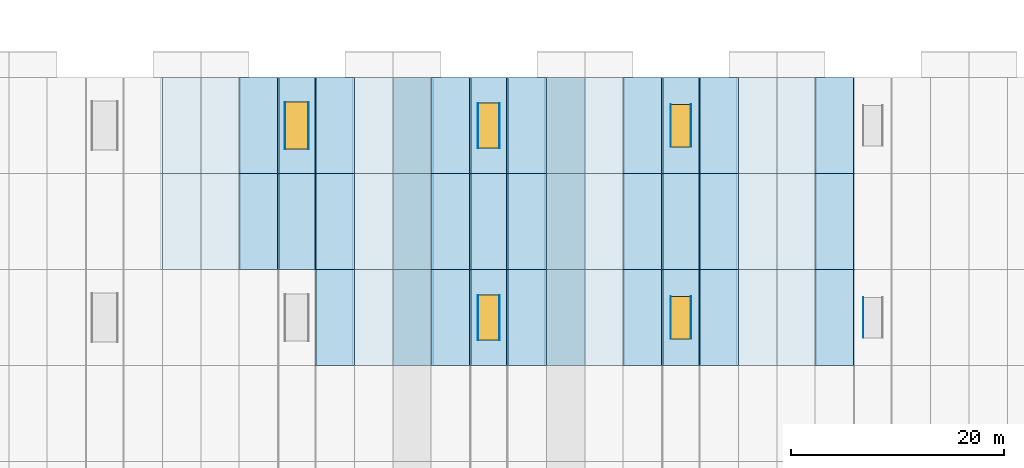
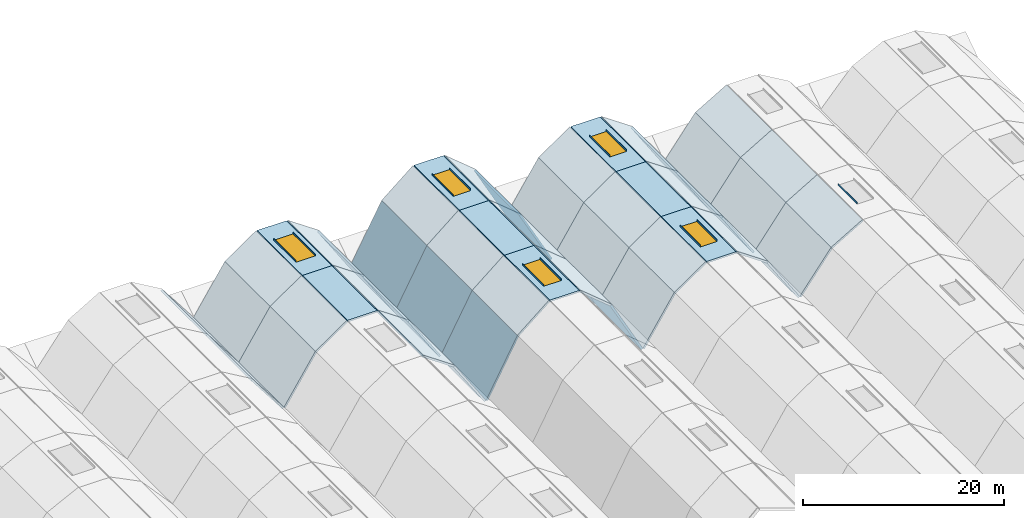
# One storey, part 6 of 11: 50 slabs, 11 plates, 5 windows, 5 openings.
"""IFC4 building model written with IfcOpenShell, lengths in metres."""

from ifc_helpers import new_model, si_unit, direction, frame, origin, origin_2d, place, context, subcontext, project, spatial, polyline, rectangle, outline, extrude, material, layer, layer_set, type_object, element, fill, save


model = new_model("IFC4")

# Units and contexts
model_context = context("Model", 3, precision=1e-05, world=origin(), true_north=direction((0.0, 1.0)))
body_context = subcontext(model_context, "Body", "Model", "MODEL_VIEW")
ifc_project = project(units=[si_unit("LENGTHUNIT", "METRE"), si_unit("AREAUNIT", "SQUARE_METRE"), si_unit("VOLUMEUNIT", "CUBIC_METRE"), si_unit("PLANEANGLEUNIT", "RADIAN"), si_unit("MASSUNIT", "GRAM", prefix="KILO")], contexts=[model_context])

# Site, building, storey
site_placement = place(None, origin())
site = spatial("IfcSite", under=ifc_project, at=site_placement, CompositionType="ELEMENT")
building_placement = place(site_placement, origin())
building = spatial("IfcBuilding", under=site, at=building_placement, Name="Chuanluo Vaults Station", CompositionType="ELEMENT")
storey_placement = place(building_placement, frame((0.0, 0.0, 24.0)))
storey = spatial("IfcBuildingStorey", under=building, at=storey_placement, Name="RF", CompositionType="ELEMENT", Elevation=24.0)

# Plates
ifc_material_1 = material(Name="Laminated safety skylight glass", Category="glass")
ifc_layer_1 = layer(ifc_material_1, 0.033935546875)
ifc_layer_set_1 = layer_set([ifc_layer_1], Name="Laminated safety skylight glass")
plate_type_1 = type_object("IfcPlateType", Name="PLT-SKY-01", PredefinedType="SHEET", material=ifc_layer_set_1)
plate_1_placement = place(storey_placement, frame((43.89990234375, 99.0, -1.85009765625), z_axis=(0.0, 0.0, 1.0), x_axis=(1.0, 0.0, 0.0)))
element("IfcPlate", 1, at=plate_1_placement, inside=storey, type_object=plate_type_1, Name="Vault V3 skylight kerb plate 15W", PredefinedType="SHEET", context=body_context, shape_type="SweptSolid", body=[
    extrude(rectangle(XDim=0.033935546875, YDim=4.39990234375, at=origin_2d()), origin(), (0.0, 0.0, 1.0), 0.219970703125),
])
for number, where, z_axis, x_axis, name in (
    (2, (62.0, 81.0, -0.25), (0.0, 0.0, 1.0), (1.0, 0.0, 0.0), "Vault V4 skylight kerb plate 19W"),
    (3, (62.0, 99.0, -0.25), (0.0, 0.0, 1.0), (1.0, 0.0, 0.0), "Vault V4 skylight kerb plate 20W"),
):
    element("IfcPlate", number, at=place(storey_placement, frame(where, z_axis=z_axis, x_axis=x_axis)), inside=storey, type_object=plate_type_1, Name=name, PredefinedType="SHEET", context=body_context, shape_type="SweptSolid", body=[
        extrude(rectangle(XDim=0.033935546875, YDim=4.199951171875, at=origin_2d()), origin(), (0.0, 0.0, 1.0), 0.219970703125),
    ])
for number, where, z_axis, x_axis, name in (
    (4, (80.050048828125, 81.0, -1.85009765625), (0.0, 0.0, 1.0), (1.0, 0.0, 0.0), "Vault V5 skylight kerb plate 24W"),
    (5, (80.050048828125, 99.0, -1.85009765625), (0.0, 0.0, 1.0), (1.0, 0.0, 0.0), "Vault V5 skylight kerb plate 25W"),
):
    element("IfcPlate", number, at=place(storey_placement, frame(where, z_axis=z_axis, x_axis=x_axis)), inside=storey, type_object=plate_type_1, Name=name, PredefinedType="SHEET", context=body_context, shape_type="SweptSolid", body=[
        extrude(rectangle(XDim=0.033935546875, YDim=4.0, at=origin_2d()), origin(), (0.0, 0.0, 1.0), 0.219970703125),
    ])
plate_2_placement = place(storey_placement, frame((98.10009765625, 81.0, -3.0498046875), z_axis=(0.0, 0.0, 1.0), x_axis=(1.0, 0.0, 0.0)))
element("IfcPlate", 6, at=plate_2_placement, inside=storey, type_object=plate_type_1, Name="Vault V6 skylight kerb plate 29W", PredefinedType="SHEET", context=body_context, shape_type="SweptSolid", body=[
    extrude(rectangle(XDim=0.033935546875, YDim=3.800048828125, at=origin_2d()), origin(), (0.0, 0.0, 1.0), 0.219970703125),
])
ifc_material_2 = material(Name="Laminated safety skylight glass", Category="glass")
ifc_layer_2 = layer(ifc_material_2, 0.030029296875)
ifc_layer_set_2 = layer_set([ifc_layer_2], Name="Laminated safety skylight glass")
plate_type_2 = type_object("IfcPlateType", Name="PLT-SKY-02", PredefinedType="SHEET", material=ifc_layer_set_2)
plate_3_placement = place(storey_placement, frame((46.10009765625, 99.0, -1.85009765625), z_axis=(0.0, 0.0, 1.0), x_axis=(1.0, 0.0, 0.0)))
element("IfcPlate", 7, at=plate_3_placement, inside=storey, type_object=plate_type_2, Name="Vault V3 skylight kerb plate 15E", PredefinedType="SHEET", context=body_context, shape_type="SweptSolid", body=[
    extrude(rectangle(XDim=0.030029296875, YDim=4.39990234375, at=origin_2d()), origin(), (0.0, 0.0, 1.0), 0.219970703125),
])
for number, where, z_axis, x_axis, name in (
    (8, (64.0, 81.0, -0.25), (0.0, 0.0, 1.0), (1.0, 0.0, 0.0), "Vault V4 skylight kerb plate 19E"),
    (9, (64.0, 99.0, -0.25), (0.0, 0.0, 1.0), (1.0, 0.0, 0.0), "Vault V4 skylight kerb plate 20E"),
):
    element("IfcPlate", number, at=place(storey_placement, frame(where, z_axis=z_axis, x_axis=x_axis)), inside=storey, type_object=plate_type_2, Name=name, PredefinedType="SHEET", context=body_context, shape_type="SweptSolid", body=[
        extrude(rectangle(XDim=0.030029296875, YDim=4.199951171875, at=origin_2d()), origin(), (0.0, 0.0, 1.0), 0.219970703125),
    ])
for number, where, z_axis, x_axis, name in (
    (10, (81.949951171875, 81.0, -1.85009765625), (0.0, 0.0, 1.0), (1.0, 0.0, 0.0), "Vault V5 skylight kerb plate 24E"),
    (11, (81.949951171875, 99.0, -1.85009765625), (0.0, 0.0, 1.0), (1.0, 0.0, 0.0), "Vault V5 skylight kerb plate 25E"),
):
    element("IfcPlate", number, at=place(storey_placement, frame(where, z_axis=z_axis, x_axis=x_axis)), inside=storey, type_object=plate_type_2, Name=name, PredefinedType="SHEET", context=body_context, shape_type="SweptSolid", body=[
        extrude(rectangle(XDim=0.030029296875, YDim=4.0, at=origin_2d()), origin(), (0.0, 0.0, 1.0), 0.219970703125),
    ])

# Slabs
ifc_material_3 = material(Name="Concrete C50", Category="concrete")
ifc_layer_3 = layer(ifc_material_3, 0.219970703125)
ifc_layer_set_3 = layer_set([ifc_layer_3], Name="Concrete C50")
slab_type = type_object("IfcSlabType", Name="SLB-VLT-220", PredefinedType="ROOF", material=ifc_layer_set_3)
for number, where, z_axis, x_axis, name in (
    (12, (32.39990234375, 85.5, -5.157958984375), (0.793378408249, 0.0, 0.608728758418), (0.608728758418, 0.0, -0.793378408249), "Vault V2 planar roof facet 7-R1"),
    (13, (32.39990234375, 94.5, -5.157958984375), (0.793378408249, 0.0, 0.608728758418), (0.608728758418, 0.0, -0.793378408249), "Vault V2 planar roof facet 8-R1"),
):
    element("IfcSlab", number, at=place(storey_placement, frame(where, z_axis=z_axis, x_axis=x_axis)), inside=storey, type_object=slab_type, Name=name, PredefinedType="ROOF", context=body_context, shape_type="SweptSolid", body=[
        extrude(outline(polyline([(0.0, 0.0), (5.914124487245905, 0.0), (5.914124487245905, 9.0), (0.0, 9.0), (0.0, 0.0)])), origin(), (0.0, 0.0, -1.0), 0.219970703125),
    ])
slab_1_placement = place(storey_placement, frame((46.800048828125, 76.5, -1.85009765625), z_axis=(0.567317861209, 0.0, 0.823498903675), x_axis=(0.823498903675, 0.0, -0.567317861209)))
element("IfcSlab", 14, at=slab_1_placement, inside=storey, type_object=slab_type, Name="Vault V3 planar roof facet 6-R2", PredefinedType="ROOF", context=body_context, shape_type="SweptSolid", body=[
    extrude(outline(polyline([(0.0, 0.0), (4.371412638877636, 0.0), (4.371412638877636, 9.0), (0.0, 9.0), (0.0, 0.0)])), origin(), (0.0, 0.0, -1.0), 0.219970703125),
])
for number, where, z_axis, x_axis, name in (
    (15, (50.39990234375, 76.5, -4.330078125), (0.837604700912, 0.0, 0.54627682086), (0.54627682086, 0.0, -0.837604700912), "Vault V3 planar roof facet 6-R1"),
    (16, (36.0, 85.5, -9.85009765625), (-0.837604700912, 0.0, 0.54627682086), (0.54627682086, 0.0, 0.837604700912), "Vault V3 planar roof facet 7-L1"),
):
    element("IfcSlab", number, at=place(storey_placement, frame(where, z_axis=z_axis, x_axis=x_axis)), inside=storey, type_object=slab_type, Name=name, PredefinedType="ROOF", context=body_context, shape_type="SweptSolid", body=[
        extrude(outline(polyline([(0.0, 0.0), (6.590244210946831, 0.0), (6.590244210946831, 9.0), (0.0, 9.0), (0.0, 0.0)])), origin(), (0.0, 0.0, -1.0), 0.219970703125),
    ])
for number, where, z_axis, x_axis, name in (
    (17, (39.60009765625, 85.5, -4.330078125), (-0.567317861209, 0.0, 0.823498903675), (0.823498903675, 0.0, 0.567317861209), "Vault V3 planar roof facet 7-L2"),
    (18, (46.800048828125, 85.5, -1.85009765625), (0.567317861209, 0.0, 0.823498903675), (0.823498903675, 0.0, -0.567317861209), "Vault V3 planar roof facet 7-R2"),
):
    element("IfcSlab", number, at=place(storey_placement, frame(where, z_axis=z_axis, x_axis=x_axis)), inside=storey, type_object=slab_type, Name=name, PredefinedType="ROOF", context=body_context, shape_type="SweptSolid", body=[
        extrude(outline(polyline([(0.0, 0.0), (4.371412638877636, 0.0), (4.371412638877636, 9.0), (0.0, 9.0), (0.0, 0.0)])), origin(), (0.0, 0.0, -1.0), 0.219970703125),
    ])
slab_2_placement = place(storey_placement, frame((50.39990234375, 85.5, -4.330078125), z_axis=(0.837604700912, 0.0, 0.54627682086), x_axis=(0.54627682086, 0.0, -0.837604700912)))
element("IfcSlab", 19, at=slab_2_placement, inside=storey, type_object=slab_type, Name="Vault V3 planar roof facet 7-R1", PredefinedType="ROOF", context=body_context, shape_type="SweptSolid", body=[
    extrude(outline(polyline([(0.0, 0.0), (6.590244210946831, 0.0), (6.590244210946831, 9.0), (0.0, 9.0), (0.0, 0.0)])), origin(), (0.0, 0.0, -1.0), 0.219970703125),
])
slab_3_placement = place(storey_placement, frame((0.0, 0.0, -2.070068359375)))
element("IfcSlab", 20, at=slab_3_placement, inside=storey, type_object=slab_type, Name="Vault V3 crown skylight slab 7", PredefinedType="ROOF", context=body_context, shape_type="SweptSolid", body=[
    extrude(outline(polyline([(43.309814453125, 85.5), (46.690185546875, 85.5), (46.690185546875, 94.5), (43.309814453125, 94.5), (43.309814453125, 85.5)])), origin(), (0.0, 0.0, 1.0), 0.219970703125),
])
slab_4_placement = place(storey_placement, frame((36.0, 94.5, -9.85009765625), z_axis=(-0.837604700912, 0.0, 0.54627682086), x_axis=(0.54627682086, 0.0, 0.837604700912)))
element("IfcSlab", 21, at=slab_4_placement, inside=storey, type_object=slab_type, Name="Vault V3 planar roof facet 8-L1", PredefinedType="ROOF", context=body_context, shape_type="SweptSolid", body=[
    extrude(outline(polyline([(0.0, 0.0), (6.590244210946831, 0.0), (6.590244210946831, 9.0), (0.0, 9.0), (0.0, 0.0)])), origin(), (0.0, 0.0, -1.0), 0.219970703125),
])
for number, where, z_axis, x_axis, name in (
    (22, (39.60009765625, 94.5, -4.330078125), (-0.567317861209, 0.0, 0.823498903675), (0.823498903675, 0.0, 0.567317861209), "Vault V3 planar roof facet 8-L2"),
    (23, (46.800048828125, 94.5, -1.85009765625), (0.567317861209, 0.0, 0.823498903675), (0.823498903675, 0.0, -0.567317861209), "Vault V3 planar roof facet 8-R2"),
):
    element("IfcSlab", number, at=place(storey_placement, frame(where, z_axis=z_axis, x_axis=x_axis)), inside=storey, type_object=slab_type, Name=name, PredefinedType="ROOF", context=body_context, shape_type="SweptSolid", body=[
        extrude(outline(polyline([(0.0, 0.0), (4.371412638877636, 0.0), (4.371412638877636, 9.0), (0.0, 9.0), (0.0, 0.0)])), origin(), (0.0, 0.0, -1.0), 0.219970703125),
    ])
slab_5_placement = place(storey_placement, frame((50.39990234375, 94.5, -4.330078125), z_axis=(0.837604700912, 0.0, 0.54627682086), x_axis=(0.54627682086, 0.0, -0.837604700912)))
element("IfcSlab", 24, at=slab_5_placement, inside=storey, type_object=slab_type, Name="Vault V3 planar roof facet 8-R1", PredefinedType="ROOF", context=body_context, shape_type="SweptSolid", body=[
    extrude(outline(polyline([(0.0, 0.0), (6.590244210946831, 0.0), (6.590244210946831, 9.0), (0.0, 9.0), (0.0, 0.0)])), origin(), (0.0, 0.0, -1.0), 0.219970703125),
])

# Slab, opening, window
slab_6_placement = place(storey_placement, frame((0.0, 0.0, -2.070068359375)))
slab_6 = element("IfcSlab", 25, at=slab_6_placement, inside=storey, type_object=slab_type, Name="Vault V3 crown skylight slab 8", PredefinedType="ROOF", context=body_context, shape_type="SweptSolid", body=[
    extrude(outline(polyline([(43.309814453125, 94.5), (46.690185546875, 94.5), (46.690185546875, 103.5), (43.309814453125, 103.5), (43.309814453125, 94.5)])), origin(), (0.0, 0.0, 1.0), 0.219970703125),
])
opening_1_placement = place(slab_6_placement, frame((45.0, 99.0, 0.0)))
opening_1 = element("IfcOpeningElement", 26, at=opening_1_placement, cuts=slab_6, Name="Opening SK-03", PredefinedType="OPENING", context=body_context, shape_type="SweptSolid", body=[
    extrude(rectangle(XDim=2.199951171875, YDim=4.39990234375, at=origin_2d()), frame((0.0, 0.0, -0.01)), (0.0, 0.0, 1.0), 0.23997),
])
ifc_material_4 = material(Name="Laminated safety skylight glass", Category="glass")
window_type_1 = type_object("IfcWindowType", Name="SKY-VLT-2200x4400", PartitioningType="SINGLE_PANEL", PredefinedType="SKYLIGHT", material=ifc_material_4)
window_1_placement = place(opening_1_placement, frame((0.0, 0.0, 0.169921875)))
window_1 = element("IfcWindow", 27, at=window_1_placement, inside=storey, type_object=window_type_1, Name="Vault V3 ridge skylight 15", OverallHeight=4.39990234375, OverallWidth=2.199951171875, PartitioningType="SINGLE_PANEL", PredefinedType="SKYLIGHT", context=body_context, shape_type="SweptSolid", body=[
    extrude(rectangle(XDim=2.199951171875, YDim=4.39990234375, at=origin_2d()), origin(), (0.0, 0.0, 1.0), 0.050048828125),
])
fill(opening_1, window_1)

# Slabs
slab_7_placement = place(storey_placement, frame((54.0, 76.5, -9.85009765625), z_axis=(-0.878619783786, 0.0, 0.477522015764), x_axis=(0.477522015764, 0.0, 0.878619783786)))
element("IfcSlab", 28, at=slab_7_placement, inside=storey, type_object=slab_type, Name="Vault V4 planar roof facet 6-L1", PredefinedType="ROOF", context=body_context, shape_type="SweptSolid", body=[
    extrude(outline(polyline([(0.0, 0.0), (7.539123930211392, 0.0), (7.539123930211392, 9.0), (0.0, 9.0), (0.0, 0.0)])), origin(), (0.0, 0.0, -1.0), 0.219970703125),
])
for number, where, z_axis, x_axis, name in (
    (29, (57.60009765625, 76.5, -3.22607421875), (-0.637171823564, 0.0, 0.770721783302), (0.770721783302, 0.0, 0.637171823564), "Vault V4 planar roof facet 6-L2"),
    (30, (64.800048828125, 76.5, -0.25), (0.637171823564, 0.0, 0.770721783302), (0.770721783302, 0.0, -0.637171823564), "Vault V4 planar roof facet 6-R2"),
):
    element("IfcSlab", number, at=place(storey_placement, frame(where, z_axis=z_axis, x_axis=x_axis)), inside=storey, type_object=slab_type, Name=name, PredefinedType="ROOF", context=body_context, shape_type="SweptSolid", body=[
        extrude(outline(polyline([(0.0, 0.0), (4.670756158211012, 0.0), (4.670756158211012, 9.0), (0.0, 9.0), (0.0, 0.0)])), origin(), (0.0, 0.0, -1.0), 0.219970703125),
    ])
slab_8_placement = place(storey_placement, frame((68.39990234375, 76.5, -3.22607421875), z_axis=(0.878619783786, 0.0, 0.477522015764), x_axis=(0.477522015764, 0.0, -0.878619783786)))
element("IfcSlab", 31, at=slab_8_placement, inside=storey, type_object=slab_type, Name="Vault V4 planar roof facet 6-R1", PredefinedType="ROOF", context=body_context, shape_type="SweptSolid", body=[
    extrude(outline(polyline([(0.0, 0.0), (7.539123930211392, 0.0), (7.539123930211392, 9.0), (0.0, 9.0), (0.0, 0.0)])), origin(), (0.0, 0.0, -1.0), 0.219970703125),
])

# Slab, opening, window
slab_9_placement = place(storey_placement, frame((0.0, 0.0, -0.469970703125)))
slab_9 = element("IfcSlab", 32, at=slab_9_placement, inside=storey, type_object=slab_type, Name="Vault V4 crown skylight slab 6", PredefinedType="ROOF", context=body_context, shape_type="SweptSolid", body=[
    extrude(outline(polyline([(61.3251953125, 76.5), (64.6748046875, 76.5), (64.6748046875, 85.5), (61.3251953125, 85.5), (61.3251953125, 76.5)])), origin(), (0.0, 0.0, 1.0), 0.219970703125),
])
opening_2_placement = place(slab_9_placement, frame((63.0, 81.0, 0.0)))
opening_2 = element("IfcOpeningElement", 33, at=opening_2_placement, cuts=slab_9, Name="Opening SK-04", PredefinedType="OPENING", context=body_context, shape_type="SweptSolid", body=[
    extrude(rectangle(XDim=2.0, YDim=4.199951171875, at=origin_2d()), frame((0.0, 0.0, -0.01)), (0.0, 0.0, 1.0), 0.23997),
])
ifc_material_5 = material(Name="Laminated safety skylight glass", Category="glass")
window_type_2 = type_object("IfcWindowType", Name="SKY-VLT-2000x4200", PartitioningType="SINGLE_PANEL", PredefinedType="SKYLIGHT", material=ifc_material_5)
window_2_placement = place(opening_2_placement, frame((0.0, 0.0, 0.169921875)))
window_2 = element("IfcWindow", 34, at=window_2_placement, inside=storey, type_object=window_type_2, Name="Vault V4 ridge skylight 19", OverallHeight=4.199951171875, OverallWidth=2.0, PartitioningType="SINGLE_PANEL", PredefinedType="SKYLIGHT", context=body_context, shape_type="SweptSolid", body=[
    extrude(rectangle(XDim=2.0, YDim=4.199951171875, at=origin_2d()), origin(), (0.0, 0.0, 1.0), 0.050048828125),
])
fill(opening_2, window_2)

# Slabs
slab_10_placement = place(storey_placement, frame((54.0, 85.5, -9.85009765625), z_axis=(-0.878619783786, 0.0, 0.477522015764), x_axis=(0.477522015764, 0.0, 0.878619783786)))
element("IfcSlab", 35, at=slab_10_placement, inside=storey, type_object=slab_type, Name="Vault V4 planar roof facet 7-L1", PredefinedType="ROOF", context=body_context, shape_type="SweptSolid", body=[
    extrude(outline(polyline([(0.0, 0.0), (7.539123930211392, 0.0), (7.539123930211392, 9.0), (0.0, 9.0), (0.0, 0.0)])), origin(), (0.0, 0.0, -1.0), 0.219970703125),
])
for number, where, z_axis, x_axis, name in (
    (36, (57.60009765625, 85.5, -3.22607421875), (-0.637171823564, 0.0, 0.770721783302), (0.770721783302, 0.0, 0.637171823564), "Vault V4 planar roof facet 7-L2"),
    (37, (64.800048828125, 85.5, -0.25), (0.637171823564, 0.0, 0.770721783302), (0.770721783302, 0.0, -0.637171823564), "Vault V4 planar roof facet 7-R2"),
):
    element("IfcSlab", number, at=place(storey_placement, frame(where, z_axis=z_axis, x_axis=x_axis)), inside=storey, type_object=slab_type, Name=name, PredefinedType="ROOF", context=body_context, shape_type="SweptSolid", body=[
        extrude(outline(polyline([(0.0, 0.0), (4.670756158211012, 0.0), (4.670756158211012, 9.0), (0.0, 9.0), (0.0, 0.0)])), origin(), (0.0, 0.0, -1.0), 0.219970703125),
    ])
slab_11_placement = place(storey_placement, frame((68.39990234375, 85.5, -3.22607421875), z_axis=(0.878619783786, 0.0, 0.477522015764), x_axis=(0.477522015764, 0.0, -0.878619783786)))
element("IfcSlab", 38, at=slab_11_placement, inside=storey, type_object=slab_type, Name="Vault V4 planar roof facet 7-R1", PredefinedType="ROOF", context=body_context, shape_type="SweptSolid", body=[
    extrude(outline(polyline([(0.0, 0.0), (7.539123930211392, 0.0), (7.539123930211392, 9.0), (0.0, 9.0), (0.0, 0.0)])), origin(), (0.0, 0.0, -1.0), 0.219970703125),
])
slab_12_placement = place(storey_placement, frame((0.0, 0.0, -0.469970703125)))
element("IfcSlab", 39, at=slab_12_placement, inside=storey, type_object=slab_type, Name="Vault V4 crown skylight slab 7", PredefinedType="ROOF", context=body_context, shape_type="SweptSolid", body=[
    extrude(outline(polyline([(61.3251953125, 85.5), (64.6748046875, 85.5), (64.6748046875, 94.5), (61.3251953125, 94.5), (61.3251953125, 85.5)])), origin(), (0.0, 0.0, 1.0), 0.219970703125),
])
slab_13_placement = place(storey_placement, frame((54.0, 94.5, -9.85009765625), z_axis=(-0.878619783786, 0.0, 0.477522015764), x_axis=(0.477522015764, 0.0, 0.878619783786)))
element("IfcSlab", 40, at=slab_13_placement, inside=storey, type_object=slab_type, Name="Vault V4 planar roof facet 8-L1", PredefinedType="ROOF", context=body_context, shape_type="SweptSolid", body=[
    extrude(outline(polyline([(0.0, 0.0), (7.539123930211392, 0.0), (7.539123930211392, 9.0), (0.0, 9.0), (0.0, 0.0)])), origin(), (0.0, 0.0, -1.0), 0.219970703125),
])
for number, where, z_axis, x_axis, name in (
    (41, (57.60009765625, 94.5, -3.22607421875), (-0.637171823564, 0.0, 0.770721783302), (0.770721783302, 0.0, 0.637171823564), "Vault V4 planar roof facet 8-L2"),
    (42, (64.800048828125, 94.5, -0.25), (0.637171823564, 0.0, 0.770721783302), (0.770721783302, 0.0, -0.637171823564), "Vault V4 planar roof facet 8-R2"),
):
    element("IfcSlab", number, at=place(storey_placement, frame(where, z_axis=z_axis, x_axis=x_axis)), inside=storey, type_object=slab_type, Name=name, PredefinedType="ROOF", context=body_context, shape_type="SweptSolid", body=[
        extrude(outline(polyline([(0.0, 0.0), (4.670756158211012, 0.0), (4.670756158211012, 9.0), (0.0, 9.0), (0.0, 0.0)])), origin(), (0.0, 0.0, -1.0), 0.219970703125),
    ])
slab_14_placement = place(storey_placement, frame((68.39990234375, 94.5, -3.22607421875), z_axis=(0.878619783786, 0.0, 0.477522015764), x_axis=(0.477522015764, 0.0, -0.878619783786)))
element("IfcSlab", 43, at=slab_14_placement, inside=storey, type_object=slab_type, Name="Vault V4 planar roof facet 8-R1", PredefinedType="ROOF", context=body_context, shape_type="SweptSolid", body=[
    extrude(outline(polyline([(0.0, 0.0), (7.539123930211392, 0.0), (7.539123930211392, 9.0), (0.0, 9.0), (0.0, 0.0)])), origin(), (0.0, 0.0, -1.0), 0.219970703125),
])

# Slab, opening, window
slab_15_placement = place(storey_placement, frame((0.0, 0.0, -0.469970703125)))
slab_15 = element("IfcSlab", 44, at=slab_15_placement, inside=storey, type_object=slab_type, Name="Vault V4 crown skylight slab 8", PredefinedType="ROOF", context=body_context, shape_type="SweptSolid", body=[
    extrude(outline(polyline([(61.3251953125, 94.5), (64.6748046875, 94.5), (64.6748046875, 103.5), (61.3251953125, 103.5), (61.3251953125, 94.5)])), origin(), (0.0, 0.0, 1.0), 0.219970703125),
])
opening_3_placement = place(slab_15_placement, frame((63.0, 99.0, 0.0)))
opening_3 = element("IfcOpeningElement", 45, at=opening_3_placement, cuts=slab_15, Name="Opening SK-04", PredefinedType="OPENING", context=body_context, shape_type="SweptSolid", body=[
    extrude(rectangle(XDim=2.0, YDim=4.199951171875, at=origin_2d()), frame((0.0, 0.0, -0.01)), (0.0, 0.0, 1.0), 0.23997),
])
window_3_placement = place(opening_3_placement, frame((0.0, 0.0, 0.169921875)))
window_3 = element("IfcWindow", 46, at=window_3_placement, inside=storey, type_object=window_type_2, Name="Vault V4 ridge skylight 20", OverallHeight=4.199951171875, OverallWidth=2.0, PartitioningType="SINGLE_PANEL", PredefinedType="SKYLIGHT", context=body_context, shape_type="SweptSolid", body=[
    extrude(rectangle(XDim=2.0, YDim=4.199951171875, at=origin_2d()), origin(), (0.0, 0.0, 1.0), 0.050048828125),
])
fill(opening_3, window_3)

# Slabs
slab_16_placement = place(storey_placement, frame((72.0, 76.5, -9.85009765625), z_axis=(-0.837604700912, 0.0, 0.54627682086), x_axis=(0.54627682086, 0.0, 0.837604700912)))
element("IfcSlab", 47, at=slab_16_placement, inside=storey, type_object=slab_type, Name="Vault V5 planar roof facet 6-L1", PredefinedType="ROOF", context=body_context, shape_type="SweptSolid", body=[
    extrude(outline(polyline([(0.0, 0.0), (6.590244210946831, 0.0), (6.590244210946831, 9.0), (0.0, 9.0), (0.0, 0.0)])), origin(), (0.0, 0.0, -1.0), 0.219970703125),
])
for number, where, z_axis, x_axis, name in (
    (48, (75.60009765625, 76.5, -4.330078125), (-0.567317861209, 0.0, 0.823498903675), (0.823498903675, 0.0, 0.567317861209), "Vault V5 planar roof facet 6-L2"),
    (49, (82.800048828125, 76.5, -1.85009765625), (0.567317861209, 0.0, 0.823498903675), (0.823498903675, 0.0, -0.567317861209), "Vault V5 planar roof facet 6-R2"),
):
    element("IfcSlab", number, at=place(storey_placement, frame(where, z_axis=z_axis, x_axis=x_axis)), inside=storey, type_object=slab_type, Name=name, PredefinedType="ROOF", context=body_context, shape_type="SweptSolid", body=[
        extrude(outline(polyline([(0.0, 0.0), (4.371412638877636, 0.0), (4.371412638877636, 9.0), (0.0, 9.0), (0.0, 0.0)])), origin(), (0.0, 0.0, -1.0), 0.219970703125),
    ])
slab_17_placement = place(storey_placement, frame((86.39990234375, 76.5, -4.330078125), z_axis=(0.837604700912, 0.0, 0.54627682086), x_axis=(0.54627682086, 0.0, -0.837604700912)))
element("IfcSlab", 50, at=slab_17_placement, inside=storey, type_object=slab_type, Name="Vault V5 planar roof facet 6-R1", PredefinedType="ROOF", context=body_context, shape_type="SweptSolid", body=[
    extrude(outline(polyline([(0.0, 0.0), (6.590244210946831, 0.0), (6.590244210946831, 9.0), (0.0, 9.0), (0.0, 0.0)])), origin(), (0.0, 0.0, -1.0), 0.219970703125),
])

# Slab, opening, window
slab_18_placement = place(storey_placement, frame((0.0, 0.0, -2.070068359375)))
slab_18 = element("IfcSlab", 51, at=slab_18_placement, inside=storey, type_object=slab_type, Name="Vault V5 crown skylight slab 6", PredefinedType="ROOF", context=body_context, shape_type="SweptSolid", body=[
    extrude(outline(polyline([(79.309814453125, 76.5), (82.690185546875, 76.5), (82.690185546875, 85.5), (79.309814453125, 85.5), (79.309814453125, 76.5)])), origin(), (0.0, 0.0, 1.0), 0.219970703125),
])
opening_4_placement = place(slab_18_placement, frame((81.0, 81.0, 0.0)))
opening_4 = element("IfcOpeningElement", 52, at=opening_4_placement, cuts=slab_18, Name="Opening SK-05", PredefinedType="OPENING", context=body_context, shape_type="SweptSolid", body=[
    extrude(rectangle(XDim=1.89990234375, YDim=4.0, at=origin_2d()), frame((0.0, 0.0, -0.01)), (0.0, 0.0, 1.0), 0.23997),
])
ifc_material_6 = material(Name="Laminated safety skylight glass", Category="glass")
window_type_3 = type_object("IfcWindowType", Name="SKY-VLT-1900x4000", PartitioningType="SINGLE_PANEL", PredefinedType="SKYLIGHT", material=ifc_material_6)
window_4_placement = place(opening_4_placement, frame((0.0, 0.0, 0.169921875)))
window_4 = element("IfcWindow", 53, at=window_4_placement, inside=storey, type_object=window_type_3, Name="Vault V5 ridge skylight 24", OverallHeight=4.0, OverallWidth=1.89990234375, PartitioningType="SINGLE_PANEL", PredefinedType="SKYLIGHT", context=body_context, shape_type="SweptSolid", body=[
    extrude(rectangle(XDim=1.89990234375, YDim=4.0, at=origin_2d()), origin(), (0.0, 0.0, 1.0), 0.050048828125),
])
fill(opening_4, window_4)

# Slabs
slab_19_placement = place(storey_placement, frame((72.0, 85.5, -9.85009765625), z_axis=(-0.837604700912, 0.0, 0.54627682086), x_axis=(0.54627682086, 0.0, 0.837604700912)))
element("IfcSlab", 54, at=slab_19_placement, inside=storey, type_object=slab_type, Name="Vault V5 planar roof facet 7-L1", PredefinedType="ROOF", context=body_context, shape_type="SweptSolid", body=[
    extrude(outline(polyline([(0.0, 0.0), (6.590244210946831, 0.0), (6.590244210946831, 9.0), (0.0, 9.0), (0.0, 0.0)])), origin(), (0.0, 0.0, -1.0), 0.219970703125),
])
for number, where, z_axis, x_axis, name in (
    (55, (75.60009765625, 85.5, -4.330078125), (-0.567317861209, 0.0, 0.823498903675), (0.823498903675, 0.0, 0.567317861209), "Vault V5 planar roof facet 7-L2"),
    (56, (82.800048828125, 85.5, -1.85009765625), (0.567317861209, 0.0, 0.823498903675), (0.823498903675, 0.0, -0.567317861209), "Vault V5 planar roof facet 7-R2"),
):
    element("IfcSlab", number, at=place(storey_placement, frame(where, z_axis=z_axis, x_axis=x_axis)), inside=storey, type_object=slab_type, Name=name, PredefinedType="ROOF", context=body_context, shape_type="SweptSolid", body=[
        extrude(outline(polyline([(0.0, 0.0), (4.371412638877636, 0.0), (4.371412638877636, 9.0), (0.0, 9.0), (0.0, 0.0)])), origin(), (0.0, 0.0, -1.0), 0.219970703125),
    ])
slab_20_placement = place(storey_placement, frame((86.39990234375, 85.5, -4.330078125), z_axis=(0.837604700912, 0.0, 0.54627682086), x_axis=(0.54627682086, 0.0, -0.837604700912)))
element("IfcSlab", 57, at=slab_20_placement, inside=storey, type_object=slab_type, Name="Vault V5 planar roof facet 7-R1", PredefinedType="ROOF", context=body_context, shape_type="SweptSolid", body=[
    extrude(outline(polyline([(0.0, 0.0), (6.590244210946831, 0.0), (6.590244210946831, 9.0), (0.0, 9.0), (0.0, 0.0)])), origin(), (0.0, 0.0, -1.0), 0.219970703125),
])
slab_21_placement = place(storey_placement, frame((0.0, 0.0, -2.070068359375)))
element("IfcSlab", 58, at=slab_21_placement, inside=storey, type_object=slab_type, Name="Vault V5 crown skylight slab 7", PredefinedType="ROOF", context=body_context, shape_type="SweptSolid", body=[
    extrude(outline(polyline([(79.309814453125, 85.5), (82.690185546875, 85.5), (82.690185546875, 94.5), (79.309814453125, 94.5), (79.309814453125, 85.5)])), origin(), (0.0, 0.0, 1.0), 0.219970703125),
])
slab_22_placement = place(storey_placement, frame((72.0, 94.5, -9.85009765625), z_axis=(-0.837604700912, 0.0, 0.54627682086), x_axis=(0.54627682086, 0.0, 0.837604700912)))
element("IfcSlab", 59, at=slab_22_placement, inside=storey, type_object=slab_type, Name="Vault V5 planar roof facet 8-L1", PredefinedType="ROOF", context=body_context, shape_type="SweptSolid", body=[
    extrude(outline(polyline([(0.0, 0.0), (6.590244210946831, 0.0), (6.590244210946831, 9.0), (0.0, 9.0), (0.0, 0.0)])), origin(), (0.0, 0.0, -1.0), 0.219970703125),
])
for number, where, z_axis, x_axis, name in (
    (60, (75.60009765625, 94.5, -4.330078125), (-0.567317861209, 0.0, 0.823498903675), (0.823498903675, 0.0, 0.567317861209), "Vault V5 planar roof facet 8-L2"),
    (61, (82.800048828125, 94.5, -1.85009765625), (0.567317861209, 0.0, 0.823498903675), (0.823498903675, 0.0, -0.567317861209), "Vault V5 planar roof facet 8-R2"),
):
    element("IfcSlab", number, at=place(storey_placement, frame(where, z_axis=z_axis, x_axis=x_axis)), inside=storey, type_object=slab_type, Name=name, PredefinedType="ROOF", context=body_context, shape_type="SweptSolid", body=[
        extrude(outline(polyline([(0.0, 0.0), (4.371412638877636, 0.0), (4.371412638877636, 9.0), (0.0, 9.0), (0.0, 0.0)])), origin(), (0.0, 0.0, -1.0), 0.219970703125),
    ])
slab_23_placement = place(storey_placement, frame((86.39990234375, 94.5, -4.330078125), z_axis=(0.837604700912, 0.0, 0.54627682086), x_axis=(0.54627682086, 0.0, -0.837604700912)))
element("IfcSlab", 62, at=slab_23_placement, inside=storey, type_object=slab_type, Name="Vault V5 planar roof facet 8-R1", PredefinedType="ROOF", context=body_context, shape_type="SweptSolid", body=[
    extrude(outline(polyline([(0.0, 0.0), (6.590244210946831, 0.0), (6.590244210946831, 9.0), (0.0, 9.0), (0.0, 0.0)])), origin(), (0.0, 0.0, -1.0), 0.219970703125),
])

# Slab, opening, window
slab_24_placement = place(storey_placement, frame((0.0, 0.0, -2.070068359375)))
slab_24 = element("IfcSlab", 63, at=slab_24_placement, inside=storey, type_object=slab_type, Name="Vault V5 crown skylight slab 8", PredefinedType="ROOF", context=body_context, shape_type="SweptSolid", body=[
    extrude(outline(polyline([(79.309814453125, 94.5), (82.690185546875, 94.5), (82.690185546875, 103.5), (79.309814453125, 103.5), (79.309814453125, 94.5)])), origin(), (0.0, 0.0, 1.0), 0.219970703125),
])
opening_5_placement = place(slab_24_placement, frame((81.0, 99.0, 0.0)))
opening_5 = element("IfcOpeningElement", 64, at=opening_5_placement, cuts=slab_24, Name="Opening SK-05", PredefinedType="OPENING", context=body_context, shape_type="SweptSolid", body=[
    extrude(rectangle(XDim=1.89990234375, YDim=4.0, at=origin_2d()), frame((0.0, 0.0, -0.01)), (0.0, 0.0, 1.0), 0.23997),
])
window_5_placement = place(opening_5_placement, frame((0.0, 0.0, 0.169921875)))
window_5 = element("IfcWindow", 65, at=window_5_placement, inside=storey, type_object=window_type_3, Name="Vault V5 ridge skylight 25", OverallHeight=4.0, OverallWidth=1.89990234375, PartitioningType="SINGLE_PANEL", PredefinedType="SKYLIGHT", context=body_context, shape_type="SweptSolid", body=[
    extrude(rectangle(XDim=1.89990234375, YDim=4.0, at=origin_2d()), origin(), (0.0, 0.0, 1.0), 0.050048828125),
])
fill(opening_5, window_5)

# Slabs
slab_25_placement = place(storey_placement, frame((90.0, 76.5, -9.85009765625), z_axis=(-0.793378408249, 0.0, 0.608728758418), x_axis=(0.608728758418, 0.0, 0.793378408249)))
element("IfcSlab", 66, at=slab_25_placement, inside=storey, type_object=slab_type, Name="Vault V6 planar roof facet 6-L1", PredefinedType="ROOF", context=body_context, shape_type="SweptSolid", body=[
    extrude(outline(polyline([(0.0, 0.0), (5.914124487245905, 0.0), (5.914124487245905, 9.0), (0.0, 9.0), (0.0, 0.0)])), origin(), (0.0, 0.0, -1.0), 0.219970703125),
])
slab_26_placement = place(storey_placement, frame((93.60009765625, 76.5, -5.157958984375), z_axis=(-0.505300394389, 0.0, 0.862943515782), x_axis=(0.862943515782, 0.0, 0.505300394389)))
element("IfcSlab", 67, at=slab_26_placement, inside=storey, type_object=slab_type, Name="Vault V6 planar roof facet 6-L2", PredefinedType="ROOF", context=body_context, shape_type="SweptSolid", body=[
    extrude(outline(polyline([(0.0, 0.0), (4.171598082363588, 0.0), (4.171598082363588, 8.999999999999998), (0.0, 8.999999999999998), (0.0, 0.0)])), origin(), (0.0, 0.0, -1.0), 0.219970703125),
])
slab_27_placement = place(storey_placement, frame((90.0, 85.5, -9.85009765625), z_axis=(-0.793378408249, 0.0, 0.608728758418), x_axis=(0.608728758418, 0.0, 0.793378408249)))
element("IfcSlab", 68, at=slab_27_placement, inside=storey, type_object=slab_type, Name="Vault V6 planar roof facet 7-L1", PredefinedType="ROOF", context=body_context, shape_type="SweptSolid", body=[
    extrude(outline(polyline([(0.0, 0.0), (5.914124487245905, 0.0), (5.914124487245905, 9.0), (0.0, 9.0), (0.0, 0.0)])), origin(), (0.0, 0.0, -1.0), 0.219970703125),
])
slab_28_placement = place(storey_placement, frame((93.60009765625, 85.5, -5.157958984375), z_axis=(-0.505300394389, 0.0, 0.862943515782), x_axis=(0.862943515782, 0.0, 0.505300394389)))
element("IfcSlab", 69, at=slab_28_placement, inside=storey, type_object=slab_type, Name="Vault V6 planar roof facet 7-L2", PredefinedType="ROOF", context=body_context, shape_type="SweptSolid", body=[
    extrude(outline(polyline([(0.0, 0.0), (4.171598082363588, 0.0), (4.171598082363588, 8.999999999999998), (0.0, 8.999999999999998), (0.0, 0.0)])), origin(), (0.0, 0.0, -1.0), 0.219970703125),
])
slab_29_placement = place(storey_placement, frame((90.0, 94.5, -9.85009765625), z_axis=(-0.793378408249, 0.0, 0.608728758418), x_axis=(0.608728758418, 0.0, 0.793378408249)))
element("IfcSlab", 70, at=slab_29_placement, inside=storey, type_object=slab_type, Name="Vault V6 planar roof facet 8-L1", PredefinedType="ROOF", context=body_context, shape_type="SweptSolid", body=[
    extrude(outline(polyline([(0.0, 0.0), (5.914124487245905, 0.0), (5.914124487245905, 9.0), (0.0, 9.0), (0.0, 0.0)])), origin(), (0.0, 0.0, -1.0), 0.219970703125),
])
slab_30_placement = place(storey_placement, frame((93.60009765625, 94.5, -5.157958984375), z_axis=(-0.505300394389, 0.0, 0.862943515782), x_axis=(0.862943515782, 0.0, 0.505300394389)))
element("IfcSlab", 71, at=slab_30_placement, inside=storey, type_object=slab_type, Name="Vault V6 planar roof facet 8-L2", PredefinedType="ROOF", context=body_context, shape_type="SweptSolid", body=[
    extrude(outline(polyline([(0.0, 0.0), (4.171598082363588, 0.0), (4.171598082363588, 8.999999999999998), (0.0, 8.999999999999998), (0.0, 0.0)])), origin(), (0.0, 0.0, -1.0), 0.219970703125),
])

save(model, "model.ifc")
